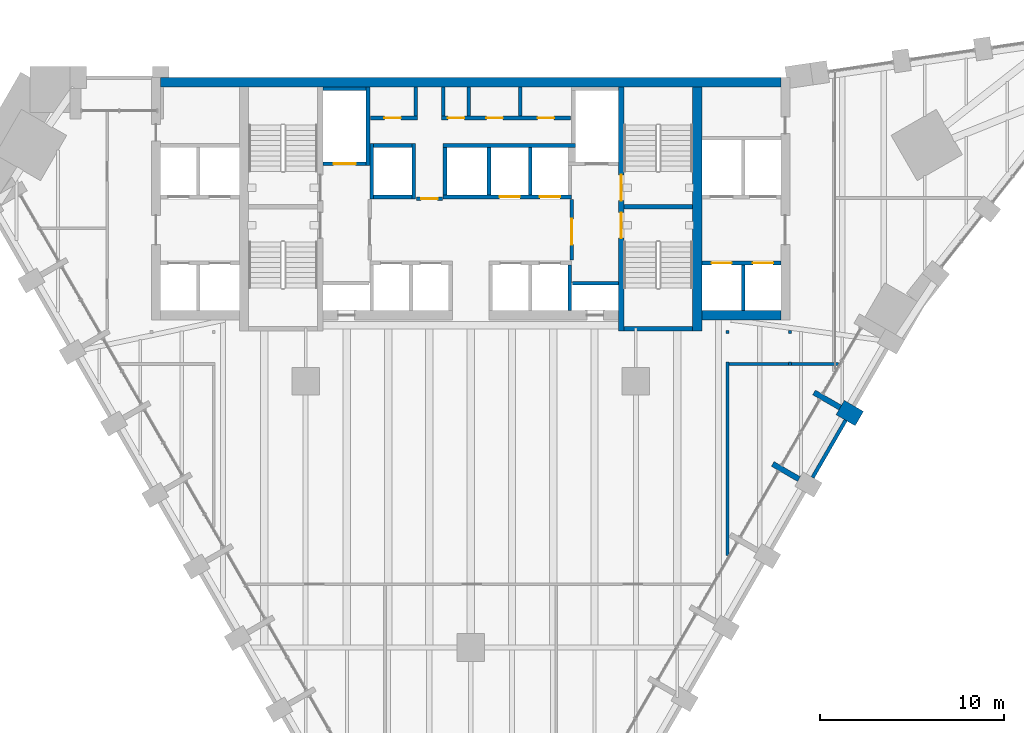
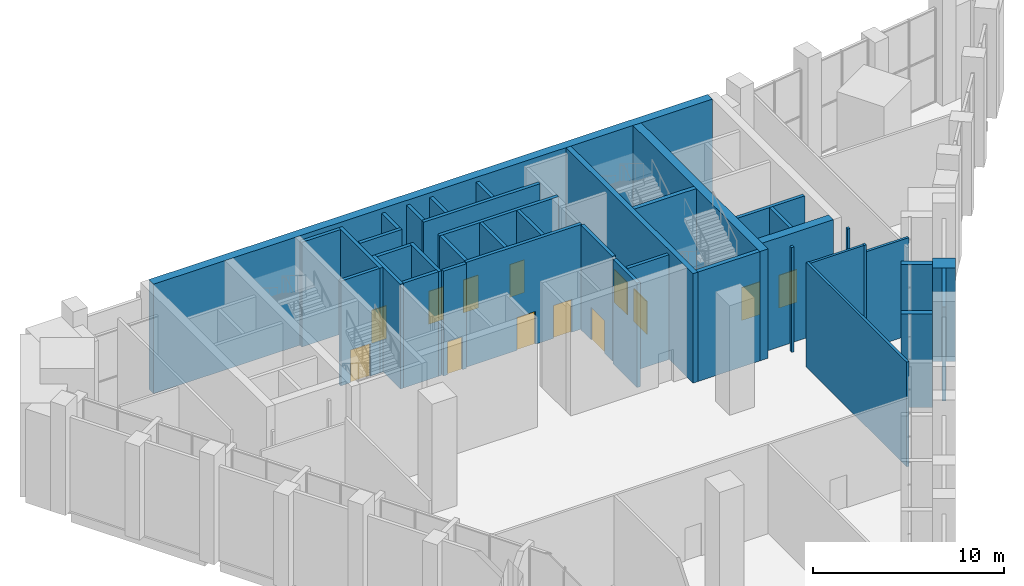
# One storey, part 13 of 17: 40 walls, 13 doors, 13 openings.
"""IFC4 building model written with IfcOpenShell, lengths in metres."""

from ifc_helpers import new_model, si_unit, direction, frame, frame_2d, origin, place, context, subcontext, project, spatial, rectangle, extrude, material, layer, layer_set, type_object, element, fill, save


model = new_model("IFC4")

# Units and contexts
model_context = context("Model", 3, precision=1e-05, world=origin(), true_north=direction((0.0, 1.0)))
body_context = subcontext(model_context, "Body", "Model", "MODEL_VIEW")
ifc_project = project(units=[si_unit("LENGTHUNIT", "METRE"), si_unit("AREAUNIT", "SQUARE_METRE"), si_unit("VOLUMEUNIT", "CUBIC_METRE"), si_unit("PLANEANGLEUNIT", "RADIAN"), si_unit("MASSUNIT", "GRAM", prefix="KILO")], contexts=[model_context])

# Site, building, storey
site_placement = place(None, origin())
site = spatial("IfcSite", under=ifc_project, at=site_placement, CompositionType="ELEMENT")
building_placement = place(site_placement, origin())
building = spatial("IfcBuilding", under=site, at=building_placement, Name="Calabash Gate Tower", CompositionType="ELEMENT")
storey_placement = place(building_placement, frame((0.0, 0.0, 132.60009765625)))
storey = spatial("IfcBuildingStorey", under=building, at=storey_placement, Name="L31", CompositionType="ELEMENT", Elevation=132.60009765625)

# Walls
ifc_material_1 = material(Name="Terracotta brick masonry, exposed face", Category="masonry")
ifc_layer_1 = layer(ifc_material_1, 1.199951171875)
ifc_layer_set_1 = layer_set([ifc_layer_1], Name="Brick end wall 1200")
wall_type_1 = type_object("IfcWallType", Name="Brick end wall 1200", PredefinedType="SOLIDWALL", material=ifc_layer_set_1)
wall_1_placement = place(storey_placement, frame((21.17626953125, 0.473388671875, 0.0), z_axis=(0.0, 0.0, 1.0), x_axis=(-0.866006032174, 0.500033551112, 0.0)))
element("IfcWall", 1, at=wall_1_placement, inside=storey, type_object=wall_type_1, Name="Brick pier L31 SE2.7", PredefinedType="SOLIDWALL", context=body_context, shape_type="SweptSolid", body=[
    extrude(rectangle(XDim=1.2001953125, YDim=0.89990234375, at=frame_2d((0.60009765625, 0.0))), origin(), (0.0, 0.0, 1.0), 6.0),
])
ifc_material_2 = material(Name="Terracotta brick masonry, exposed face", Category="masonry")
ifc_layer_2 = layer(ifc_material_2, 0.300048828125)
ifc_layer_set_2 = layer_set([ifc_layer_2], Name="Brick loggia cheek wall 300")
wall_type_2 = type_object("IfcWallType", Name="Brick loggia cheek wall 300", PredefinedType="SOLIDWALL", material=ifc_layer_set_2)
for number, where, z_axis, x_axis, name in (
    (2, (16.4580078125, -1.998779296875, 0.0), (0.0, 0.0, 1.0), (0.866040211805, -0.499974350878, 0.0), "Loggia cheek L31 SE2.6"),
    (3, (18.7080078125, 1.8984375, 0.0), (0.0, 0.0, 1.0), (0.866040211805, -0.499974350878, 0.0), "Loggia cheek L31 SE2.7"),
):
    element("IfcWall", number, at=place(storey_placement, frame(where, z_axis=z_axis, x_axis=x_axis)), inside=storey, type_object=wall_type_2, Name=name, PredefinedType="SOLIDWALL", context=body_context, shape_type="SweptSolid", body=[
        extrude(rectangle(XDim=1.64990234375, YDim=0.300048828125, at=frame_2d((0.824951171875, 0.0))), origin(), (0.0, 0.0, 1.0), 6.0),
    ])
ifc_material_3 = material(Name="Gypsum board on steel studs, mineral wool", Category="steel")
ifc_layer_3 = layer(ifc_material_3, 0.199951171875)
ifc_layer_set_3 = layer_set([ifc_layer_3], Name="Core partition 200 gypsum board")
wall_type_3 = type_object("IfcWallType", Name="Core partition 200 gypsum board", PredefinedType="PARTITIONING", material=ifc_layer_set_3)
for number, where, z_axis, x_axis, name in (
    (4, (-3.0, 16.95263671875, 0.0), (0.0, 0.0, 1.0), (0.0, 1.0, 0.0), "Core partition"),
    (5, (-1.5, 16.95263671875, 0.0), (0.0, 0.0, 1.0), (0.0, 1.0, 0.0), "Core partition"),
    (6, (-0.10009765625, 16.95263671875, 0.0), (0.0, 0.0, 1.0), (0.0, 1.0, 0.0), "Core partition"),
    (7, (2.699951171875, 16.95263671875, 0.0), (0.0, 0.0, 1.0), (0.0, 1.0, 0.0), "Core partition"),
):
    element("IfcWall", number, at=place(storey_placement, frame(where, z_axis=z_axis, x_axis=x_axis)), inside=storey, type_object=wall_type_3, Name=name, PredefinedType="PARTITIONING", context=body_context, shape_type="SweptSolid", body=[
        extrude(rectangle(XDim=1.599853515625, YDim=0.199951171875, at=frame_2d((0.7998046875, 0.0))), origin(), (0.0, 0.0, 1.0), 6.699951171875),
    ])
ifc_material_4 = material(Name="Concrete C80/95", Category="concrete")
ifc_layer_4 = layer(ifc_material_4, 0.25)
ifc_layer_set_4 = layer_set([ifc_layer_4], Name="Core wall 250 Concrete C80/95")
wall_type_4 = type_object("IfcWallType", Name="Core wall 250 Concrete C80/95", PredefinedType="SHEAR", material=ifc_layer_set_4)
for number, where, z_axis, x_axis, name in (
    (8, (8.35009765625, 12.027587890625, 0.0), (0.0, 0.0, 1.0), (1.0, 0.0, 0.0), "Core wall Z2-MIDE L31"),
    (9, (8.35009765625, 5.377685546875, 0.0), (0.0, 0.0, 1.0), (1.0, 0.0, 0.0), "Core wall Z2-SSE L31"),
):
    element("IfcWall", number, at=place(storey_placement, frame(where, z_axis=z_axis, x_axis=x_axis)), inside=storey, type_object=wall_type_4, Name=name, PredefinedType="SHEAR", context=body_context, shape_type="SweptSolid", body=[
        extrude(rectangle(XDim=3.75, YDim=0.25, at=frame_2d((1.875, 0.0))), origin(), (0.0, 0.0, 1.0), 7.0),
    ])

# Wall, openings, doors
ifc_material_5 = material(Name="Concrete C80/95", Category="concrete")
ifc_layer_5 = layer(ifc_material_5, 0.300048828125)
ifc_layer_set_5 = layer_set([ifc_layer_5], Name="Core wall 300 Concrete C80/95")
wall_type_5 = type_object("IfcWallType", Name="Core wall 300 Concrete C80/95", PredefinedType="SHEAR", material=ifc_layer_set_5)
wall_2_placement = place(storey_placement, frame((8.199951171875, 5.252685546875, 0.0), z_axis=(0.0, 0.0, 1.0), x_axis=(0.0, 1.0, 0.0)))
wall_2 = element("IfcWall", 10, at=wall_2_placement, inside=storey, type_object=wall_type_5, Name="Core wall Z2-PARTE L31", PredefinedType="SHEAR", context=body_context, shape_type="SweptSolid", body=[
    extrude(rectangle(XDim=13.2998046875, YDim=0.300048828125, at=frame_2d((6.64990234375, 0.0))), origin(), (0.0, 0.0, 1.0), 7.0),
])
opening_1_placement = place(wall_2_placement, frame((7.10009765625, 0.0, 0.0)))
opening_1 = element("IfcOpeningElement", 11, at=opening_1_placement, cuts=wall_2, Name="Opening L31-003", PredefinedType="OPENING", context=body_context, shape_type="SweptSolid", body=[
    extrude(rectangle(XDim=1.39990234375, YDim=2.10009765625, at=frame_2d((0.699951171875, 1.050048828125))), frame((0.0, 0.159912109375, 0.0), z_axis=(0.0, -1.0, 0.0), x_axis=(1.0, 0.0, 0.0)), (0.0, 0.0, 1.0), 0.320068359375),
])
opening_2_placement = place(wall_2_placement, frame((5.050048828125, 0.0, 0.0)))
opening_2 = element("IfcOpeningElement", 12, at=opening_2_placement, cuts=wall_2, Name="Opening L31-004", PredefinedType="OPENING", context=body_context, shape_type="SweptSolid", body=[
    extrude(rectangle(XDim=1.39990234375, YDim=2.10009765625, at=frame_2d((0.699951171875, 1.050048828125))), frame((0.0, 0.159912109375, 0.0), z_axis=(0.0, -1.0, 0.0), x_axis=(1.0, 0.0, 0.0)), (0.0, 0.0, 1.0), 0.320068359375),
])
ifc_material_6 = material(Name="Steel fire door set with fire-resisting glazing", Category="steel")
door_type_1 = type_object("IfcDoorType", Name="Fire door D05 1400x2100 FD90", OperationType="NOTDEFINED", PredefinedType="DOOR", material=ifc_material_6)
door_1_placement = place(opening_1_placement, origin())
door_1 = element("IfcDoor", 13, at=door_1_placement, inside=storey, type_object=door_type_1, Name="Exit stair door ST3", OperationType="SINGLE_SWING_RIGHT", OverallHeight=2.10009765625, OverallWidth=1.39990234375, PredefinedType="DOOR", context=body_context, shape_type="SweptSolid", body=[
    extrude(rectangle(XDim=1.39990234375, YDim=2.10009765625, at=frame_2d((0.699951171875, 1.050048828125))), frame((0.0, 0.02490234375, 0.0), z_axis=(0.0, -1.0, 0.0), x_axis=(1.0, 0.0, 0.0)), (0.0, 0.0, 1.0), 0.050048828125),
])
fill(opening_1, door_1)
door_2_placement = place(opening_2_placement, origin())
door_2 = element("IfcDoor", 14, at=door_2_placement, inside=storey, type_object=door_type_1, Name="Exit stair door ST4", OperationType="SINGLE_SWING_LEFT", OverallHeight=2.10009765625, OverallWidth=1.39990234375, PredefinedType="DOOR", context=body_context, shape_type="SweptSolid", body=[
    extrude(rectangle(XDim=1.39990234375, YDim=2.10009765625, at=frame_2d((0.699951171875, 1.050048828125))), frame((0.0, 0.02490234375, 0.0), z_axis=(0.0, -1.0, 0.0), x_axis=(1.0, 0.0, 0.0)), (0.0, 0.0, 1.0), 0.050048828125),
])
fill(opening_2, door_2)

# Walls
ifc_material_7 = material(Name="Concrete C80/95", Category="concrete")
ifc_layer_6 = layer(ifc_material_7, 0.5)
ifc_layer_set_6 = layer_set([ifc_layer_6], Name="Core wall 500 Concrete C80/95")
wall_type_6 = type_object("IfcWallType", Name="Core wall 500 Concrete C80/95", PredefinedType="SHEAR", material=ifc_layer_set_6)
wall_3_placement = place(storey_placement, frame((-16.89990234375, 18.802490234375, 0.0), z_axis=(0.0, 0.0, 1.0), x_axis=(1.0, 0.0, 0.0)))
element("IfcWall", 15, at=wall_3_placement, inside=storey, type_object=wall_type_6, Name="Core wall Z2-N L31", PredefinedType="SHEAR", context=body_context, shape_type="SweptSolid", body=[
    extrude(rectangle(XDim=33.7998046875, YDim=0.5, at=frame_2d((16.89990234375, 0.0))), origin(), (0.0, 0.0, 1.0), 7.0),
])
wall_4_placement = place(storey_placement, frame((12.35009765625, 5.252685546875, 0.0), z_axis=(0.0, 0.0, 1.0), x_axis=(0.0, 1.0, 0.0)))
element("IfcWall", 16, at=wall_4_placement, inside=storey, type_object=wall_type_6, Name="Core wall Z2-COLE L31", PredefinedType="SHEAR", context=body_context, shape_type="SweptSolid", body=[
    extrude(rectangle(XDim=13.2998046875, YDim=0.5, at=frame_2d((6.64990234375, 0.0))), origin(), (0.0, 0.0, 1.0), 7.0),
])
wall_5_placement = place(storey_placement, frame((12.60009765625, 6.1025390625, 0.0), z_axis=(0.0, 0.0, 1.0), x_axis=(1.0, 0.0, 0.0)))
element("IfcWall", 17, at=wall_5_placement, inside=storey, type_object=wall_type_6, Name="Core wall Z2-SE L31", PredefinedType="SHEAR", context=body_context, shape_type="SweptSolid", body=[
    extrude(rectangle(XDim=4.2998046875, YDim=0.5, at=frame_2d((2.14990234375, 0.0))), origin(), (0.0, 0.0, 1.0), 7.0),
])
ifc_material_8 = material(Name="Gypsum board on steel studs, mineral wool", Category="steel")
ifc_layer_7 = layer(ifc_material_8, 0.14990234375)
ifc_layer_set_7 = layer_set([ifc_layer_7], Name="Partition 150 gypsum board")
wall_type_7 = type_object("IfcWallType", Name="Partition 150 gypsum board", PredefinedType="PARTITIONING", material=ifc_layer_set_7)
wall_6_placement = place(storey_placement, frame((14.0, -6.97607421875, 0.0), z_axis=(0.0, 0.0, 1.0), x_axis=(0.0, 1.0, 0.0)))
element("IfcWall", 18, at=wall_6_placement, inside=storey, type_object=wall_type_7, Name="Partition", PredefinedType="PARTITIONING", context=body_context, shape_type="SweptSolid", body=[
    extrude(rectangle(XDim=10.53369140625, YDim=0.14990234375, at=frame_2d((5.266845703125, 0.0))), origin(), (0.0, 0.0, 1.0), 6.699951171875),
])
wall_7_placement = place(storey_placement, frame((14.074951171875, 3.45263671875, 0.0), z_axis=(0.0, 0.0, 1.0), x_axis=(1.0, 0.0, 0.0)))
element("IfcWall", 19, at=wall_7_placement, inside=storey, type_object=wall_type_7, Name="Partition", PredefinedType="PARTITIONING", context=body_context, shape_type="SweptSolid", body=[
    extrude(rectangle(XDim=3.25, YDim=0.14990234375, at=frame_2d((1.625, 0.0))), origin(), (0.0, 0.0, 1.0), 6.699951171875),
])
wall_8_placement = place(storey_placement, frame((17.39990234375, 3.377685546875, 0.0), z_axis=(0.0, 0.0, 1.0), x_axis=(0.0, 1.0, 0.0)))
element("IfcWall", 20, at=wall_8_placement, inside=storey, type_object=wall_type_7, Name="Partition", PredefinedType="PARTITIONING", context=body_context, shape_type="SweptSolid", body=[
    extrude(rectangle(XDim=0.179931640625, YDim=0.14990234375, at=frame_2d((0.08984375, 0.0))), origin(), (0.0, 0.0, 1.0), 6.699951171875),
])
wall_9_placement = place(storey_placement, frame((17.47509765625, 3.45263671875, 0.0), z_axis=(0.0, 0.0, 1.0), x_axis=(1.0, 0.0, 0.0)))
element("IfcWall", 21, at=wall_9_placement, inside=storey, type_object=wall_type_7, Name="Partition", PredefinedType="PARTITIONING", context=body_context, shape_type="SweptSolid", body=[
    extrude(rectangle(XDim=2.554443359375, YDim=0.14990234375, at=frame_2d((1.27734375, 0.0))), origin(), (0.0, 0.0, 1.0), 6.252197265625),
])
for number, where, z_axis, x_axis, name in (
    (22, (14.0, 5.09765625, 0.0), (0.0, 0.0, 1.0), (0.0, 1.0, 0.0), "Partition"),
    (23, (17.39990234375, 5.09765625, 0.0), (0.0, 0.0, 1.0), (0.0, 1.0, 0.0), "Partition"),
):
    element("IfcWall", number, at=place(storey_placement, frame(where, z_axis=z_axis, x_axis=x_axis)), inside=storey, type_object=wall_type_7, Name=name, PredefinedType="PARTITIONING", context=body_context, shape_type="SweptSolid", body=[
        extrude(rectangle(XDim=0.179931640625, YDim=0.14990234375, at=frame_2d((0.08984375, 0.0))), origin(), (0.0, 0.0, 1.0), 6.699951171875),
    ])
ifc_material_9 = material(Name="Concrete C40/50", Category="concrete")
ifc_layer_8 = layer(ifc_material_9, 0.199951171875)
ifc_layer_set_8 = layer_set([ifc_layer_8], Name="Shaft wall 200 Concrete C40/50")
wall_type_8 = type_object("IfcWallType", Name="Shaft wall 200 Concrete C40/50", PredefinedType="SOLIDWALL", material=ifc_layer_set_8)
for number, where, z_axis, x_axis, name in (
    (24, (5.39990234375, 6.3525390625, 0.0), (0.0, 0.0, 1.0), (0.0, 1.0, 0.0), "Shaft wall"),
    (25, (14.85009765625, 6.3525390625, 0.0), (0.0, 0.0, 1.0), (0.0, 1.0, 0.0), "Shaft wall"),
    (26, (5.550048828125, 7.8525390625, 0.0), (0.0, 0.0, 1.0), (1.0, 0.0, 0.0), "Shaft wall"),
):
    element("IfcWall", number, at=place(storey_placement, frame(where, z_axis=z_axis, x_axis=x_axis)), inside=storey, type_object=wall_type_8, Name=name, PredefinedType="SOLIDWALL", context=body_context, shape_type="SweptSolid", body=[
        extrude(rectangle(XDim=2.5, YDim=0.199951171875, at=frame_2d((1.25, 0.0))), origin(), (0.0, 0.0, 1.0), 6.699951171875),
    ])

# Wall, openings, doors
wall_10_placement = place(storey_placement, frame((12.60009765625, 8.95263671875, 0.0), z_axis=(0.0, 0.0, 1.0), x_axis=(1.0, 0.0, 0.0)))
wall_10 = element("IfcWall", 27, at=wall_10_placement, inside=storey, type_object=wall_type_8, Name="Shaft wall", PredefinedType="SOLIDWALL", context=body_context, shape_type="SweptSolid", body=[
    extrude(rectangle(XDim=4.2998046875, YDim=0.199951171875, at=frame_2d((2.14990234375, 0.0))), origin(), (0.0, 0.0, 1.0), 6.699951171875),
])
opening_3_placement = place(wall_10_placement, frame((0.52490234375, 0.0, 0.0)))
opening_3 = element("IfcOpeningElement", 28, at=opening_3_placement, cuts=wall_10, Name="Opening LD-LR5", PredefinedType="OPENING", context=body_context, shape_type="SweptSolid", body=[
    extrude(rectangle(XDim=1.10009765625, YDim=2.10009765625, at=frame_2d((0.550048828125, 1.050048828125))), frame((0.0, 0.10986328125, 0.0), z_axis=(0.0, -1.0, 0.0), x_axis=(1.0, 0.0, 0.0)), (0.0, 0.0, 1.0), 0.219970703125),
])
opening_4_placement = place(wall_10_placement, frame((2.77490234375, 0.0, 0.0)))
opening_4 = element("IfcOpeningElement", 29, at=opening_4_placement, cuts=wall_10, Name="Opening LD-LR6", PredefinedType="OPENING", context=body_context, shape_type="SweptSolid", body=[
    extrude(rectangle(XDim=1.10009765625, YDim=2.10009765625, at=frame_2d((0.550048828125, 1.050048828125))), frame((0.0, 0.10986328125, 0.0), z_axis=(0.0, -1.0, 0.0), x_axis=(1.0, 0.0, 0.0)), (0.0, 0.0, 1.0), 0.219970703125),
])
ifc_material_10 = material(Name="Stainless steel sliding door leaves", Category="steel")
door_type_2 = type_object("IfcDoorType", Name="Lift landing door LS1 1100x2100 FD90", OperationType="DOUBLE_DOOR_SLIDING", PredefinedType="DOOR", material=ifc_material_10)
door_3_placement = place(opening_3_placement, origin())
door_3 = element("IfcDoor", 30, at=door_3_placement, inside=storey, type_object=door_type_2, Name="Lift landing door LR5", OperationType="DOUBLE_DOOR_SLIDING", OverallHeight=2.10009765625, OverallWidth=1.10009765625, PredefinedType="DOOR", context=body_context, shape_type="SweptSolid", body=[
    extrude(rectangle(XDim=1.10009765625, YDim=2.10009765625, at=frame_2d((0.550048828125, 1.050048828125))), frame((0.0, 0.02490234375, 0.0), z_axis=(0.0, -1.0, 0.0), x_axis=(1.0, 0.0, 0.0)), (0.0, 0.0, 1.0), 0.050048828125),
])
fill(opening_3, door_3)
door_4_placement = place(opening_4_placement, origin())
door_4 = element("IfcDoor", 31, at=door_4_placement, inside=storey, type_object=door_type_2, Name="Lift landing door LR6", OperationType="DOUBLE_DOOR_SLIDING", OverallHeight=2.10009765625, OverallWidth=1.10009765625, PredefinedType="DOOR", context=body_context, shape_type="SweptSolid", body=[
    extrude(rectangle(XDim=1.10009765625, YDim=2.10009765625, at=frame_2d((0.550048828125, 1.050048828125))), frame((0.0, 0.02490234375, 0.0), z_axis=(0.0, -1.0, 0.0), x_axis=(1.0, 0.0, 0.0)), (0.0, 0.0, 1.0), 0.050048828125),
])
fill(opening_4, door_4)

# Wall, opening, door
wall_11_placement = place(storey_placement, frame((5.5, 9.1025390625, 0.0), z_axis=(0.0, 0.0, 1.0), x_axis=(0.0, 1.0, 0.0)))
wall_11 = element("IfcWall", 32, at=wall_11_placement, inside=storey, type_object=wall_type_8, Name="Shaft wall", PredefinedType="SOLIDWALL", context=body_context, shape_type="SweptSolid", body=[
    extrude(rectangle(XDim=3.300048828125, YDim=0.199951171875, at=frame_2d((1.64990234375, 0.0))), origin(), (0.0, 0.0, 1.0), 6.699951171875),
])
opening_5_placement = place(wall_11_placement, frame((0.85009765625, 0.0, 0.0)))
opening_5 = element("IfcOpeningElement", 33, at=opening_5_placement, cuts=wall_11, Name="Opening L31-007", PredefinedType="OPENING", context=body_context, shape_type="SweptSolid", body=[
    extrude(rectangle(XDim=1.39990234375, YDim=2.10009765625, at=frame_2d((0.699951171875, 1.050048828125))), frame((0.0, 0.10986328125, 0.0), z_axis=(0.0, -1.0, 0.0), x_axis=(1.0, 0.0, 0.0)), (0.0, 0.0, 1.0), 0.219970703125),
])
door_5_placement = place(opening_5_placement, origin())
door_5 = element("IfcDoor", 34, at=door_5_placement, inside=storey, type_object=door_type_1, Name="Firefighting Lobby E door", OperationType="SINGLE_SWING_LEFT", OverallHeight=2.10009765625, OverallWidth=1.39990234375, PredefinedType="DOOR", context=body_context, shape_type="SweptSolid", body=[
    extrude(rectangle(XDim=1.39990234375, YDim=2.10009765625, at=frame_2d((0.699951171875, 1.050048828125))), frame((0.0, 0.02490234375, 0.0), z_axis=(0.0, -1.0, 0.0), x_axis=(1.0, 0.0, 0.0)), (0.0, 0.0, 1.0), 0.050048828125),
])
fill(opening_5, door_5)

wall_12_placement = place(storey_placement, frame((-2.949951171875, 12.45263671875, 0.0), z_axis=(0.0, 0.0, 1.0), x_axis=(1.0, 0.0, 0.0)))
wall_12 = element("IfcWall", 35, at=wall_12_placement, inside=storey, type_object=wall_type_8, Name="Shaft wall", PredefinedType="SOLIDWALL", context=body_context, shape_type="SweptSolid", body=[
    extrude(rectangle(XDim=1.39990234375, YDim=0.199951171875, at=frame_2d((0.699951171875, 0.0))), origin(), (0.0, 0.0, 1.0), 6.699951171875),
])
opening_6_placement = place(wall_12_placement, frame((0.25, 0.0, 0.0)))
opening_6 = element("IfcOpeningElement", 36, at=opening_6_placement, cuts=wall_12, Name="Opening L31-005", PredefinedType="OPENING", context=body_context, shape_type="SweptSolid", body=[
    extrude(rectangle(XDim=0.89990234375, YDim=2.10009765625, at=frame_2d((0.449951171875, 1.050048828125))), frame((0.0, 0.10986328125, 0.0), z_axis=(0.0, -1.0, 0.0), x_axis=(1.0, 0.0, 0.0)), (0.0, 0.0, 1.0), 0.219970703125),
])
ifc_material_11 = material(Name="Steel fire door set with fire-resisting glazing", Category="steel")
door_type_3 = type_object("IfcDoorType", Name="Fire door D06 900x2100 FD60", OperationType="NOTDEFINED", PredefinedType="DOOR", material=ifc_material_11)
door_6_placement = place(opening_6_placement, origin())
door_6 = element("IfcDoor", 37, at=door_6_placement, inside=storey, type_object=door_type_3, Name="Service Corridor door", OperationType="SINGLE_SWING_RIGHT", OverallHeight=2.10009765625, OverallWidth=0.89990234375, PredefinedType="DOOR", context=body_context, shape_type="SweptSolid", body=[
    extrude(rectangle(XDim=0.89990234375, YDim=2.10009765625, at=frame_2d((0.449951171875, 1.050048828125))), frame((0.0, 0.02490234375, 0.0), z_axis=(0.0, -1.0, 0.0), x_axis=(1.0, 0.0, 0.0)), (0.0, 0.0, 1.0), 0.050048828125),
])
fill(opening_6, door_6)

# Walls
wall_13_placement = place(storey_placement, frame((-5.39990234375, 12.45263671875, 0.0), z_axis=(0.0, 0.0, 1.0), x_axis=(0.0, 1.0, 0.0)))
element("IfcWall", 38, at=wall_13_placement, inside=storey, type_object=wall_type_8, Name="Shaft wall", PredefinedType="SOLIDWALL", context=body_context, shape_type="SweptSolid", body=[
    extrude(rectangle(XDim=3.0, YDim=0.199951171875, at=frame_2d((1.5, 0.0))), origin(), (0.0, 0.0, 1.0), 6.699951171875),
])
wall_14_placement = place(storey_placement, frame((-5.300048828125, 12.552490234375, 0.0), z_axis=(0.0, 0.0, 1.0), x_axis=(1.0, 0.0, 0.0)))
element("IfcWall", 39, at=wall_14_placement, inside=storey, type_object=wall_type_8, Name="Shaft wall", PredefinedType="SOLIDWALL", context=body_context, shape_type="SweptSolid", body=[
    extrude(rectangle(XDim=2.10009765625, YDim=0.199951171875, at=frame_2d((1.050048828125, 0.0))), origin(), (0.0, 0.0, 1.0), 6.699951171875),
])
wall_15_placement = place(storey_placement, frame((-3.10009765625, 12.45263671875, 0.0), z_axis=(0.0, 0.0, 1.0), x_axis=(0.0, 1.0, 0.0)))
element("IfcWall", 40, at=wall_15_placement, inside=storey, type_object=wall_type_8, Name="Shaft wall", PredefinedType="SOLIDWALL", context=body_context, shape_type="SweptSolid", body=[
    extrude(rectangle(XDim=3.0, YDim=0.199951171875, at=frame_2d((1.5, 0.0))), origin(), (0.0, 0.0, 1.0), 6.699951171875),
])

# Wall, openings, doors
wall_16_placement = place(storey_placement, frame((-1.5, 12.552490234375, 0.0), z_axis=(0.0, 0.0, 1.0), x_axis=(1.0, 0.0, 0.0)))
wall_16 = element("IfcWall", 41, at=wall_16_placement, inside=storey, type_object=wall_type_8, Name="Shaft wall", PredefinedType="SOLIDWALL", context=body_context, shape_type="SweptSolid", body=[
    extrude(rectangle(XDim=7.0, YDim=0.199951171875, at=frame_2d((3.5, 0.0))), origin(), (0.0, 0.0, 1.0), 6.699951171875),
])
opening_7_placement = place(wall_16_placement, frame((3.074951171875, 0.0, 0.0)))
opening_7 = element("IfcOpeningElement", 42, at=opening_7_placement, cuts=wall_16, Name="Opening LD-HR5", PredefinedType="OPENING", context=body_context, shape_type="SweptSolid", body=[
    extrude(rectangle(XDim=1.10009765625, YDim=2.10009765625, at=frame_2d((0.550048828125, 1.050048828125))), frame((0.0, 0.10986328125, 0.0), z_axis=(0.0, -1.0, 0.0), x_axis=(1.0, 0.0, 0.0)), (0.0, 0.0, 1.0), 0.219970703125),
])
opening_8_placement = place(wall_16_placement, frame((5.27490234375, 0.0, 0.0)))
opening_8 = element("IfcOpeningElement", 43, at=opening_8_placement, cuts=wall_16, Name="Opening LD-HR6", PredefinedType="OPENING", context=body_context, shape_type="SweptSolid", body=[
    extrude(rectangle(XDim=1.10009765625, YDim=2.10009765625, at=frame_2d((0.550048828125, 1.050048828125))), frame((0.0, 0.10986328125, 0.0), z_axis=(0.0, -1.0, 0.0), x_axis=(1.0, 0.0, 0.0)), (0.0, 0.0, 1.0), 0.219970703125),
])
door_7_placement = place(opening_7_placement, origin())
door_7 = element("IfcDoor", 44, at=door_7_placement, inside=storey, type_object=door_type_2, Name="Lift landing door HR5", OperationType="DOUBLE_DOOR_SLIDING", OverallHeight=2.10009765625, OverallWidth=1.10009765625, PredefinedType="DOOR", context=body_context, shape_type="SweptSolid", body=[
    extrude(rectangle(XDim=1.10009765625, YDim=2.10009765625, at=frame_2d((0.550048828125, 1.050048828125))), frame((0.0, 0.02490234375, 0.0), z_axis=(0.0, -1.0, 0.0), x_axis=(1.0, 0.0, 0.0)), (0.0, 0.0, 1.0), 0.050048828125),
])
fill(opening_7, door_7)
door_8_placement = place(opening_8_placement, origin())
door_8 = element("IfcDoor", 45, at=door_8_placement, inside=storey, type_object=door_type_2, Name="Lift landing door HR6", OperationType="DOUBLE_DOOR_SLIDING", OverallHeight=2.10009765625, OverallWidth=1.10009765625, PredefinedType="DOOR", context=body_context, shape_type="SweptSolid", body=[
    extrude(rectangle(XDim=1.10009765625, YDim=2.10009765625, at=frame_2d((0.550048828125, 1.050048828125))), frame((0.0, 0.02490234375, 0.0), z_axis=(0.0, -1.0, 0.0), x_axis=(1.0, 0.0, 0.0)), (0.0, 0.0, 1.0), 0.050048828125),
])
fill(opening_8, door_8)

# Walls
for number, where, z_axis, x_axis, name in (
    (46, (-1.39990234375, 12.652587890625, 0.0), (0.0, 0.0, 1.0), (0.0, 1.0, 0.0), "Shaft wall"),
    (47, (1.0, 12.652587890625, 0.0), (0.0, 0.0, 1.0), (0.0, 1.0, 0.0), "Shaft wall"),
    (48, (3.25, 12.652587890625, 0.0), (0.0, 0.0, 1.0), (0.0, 1.0, 0.0), "Shaft wall"),
):
    element("IfcWall", number, at=place(storey_placement, frame(where, z_axis=z_axis, x_axis=x_axis)), inside=storey, type_object=wall_type_8, Name=name, PredefinedType="SOLIDWALL", context=body_context, shape_type="SweptSolid", body=[
        extrude(rectangle(XDim=2.60009765625, YDim=0.199951171875, at=frame_2d((1.300048828125, 0.0))), origin(), (0.0, 0.0, 1.0), 6.699951171875),
    ])

# Wall, opening, door
wall_17_placement = place(storey_placement, frame((-8.050048828125, 14.3525390625, 0.0), z_axis=(0.0, 0.0, 1.0), x_axis=(1.0, 0.0, 0.0)))
wall_17 = element("IfcWall", 49, at=wall_17_placement, inside=storey, type_object=wall_type_8, Name="Shaft wall", PredefinedType="SOLIDWALL", context=body_context, shape_type="SweptSolid", body=[
    extrude(rectangle(XDim=2.35009765625, YDim=0.199951171875, at=frame_2d((1.175048828125, 0.0))), origin(), (0.0, 0.0, 1.0), 6.699951171875),
])
opening_9_placement = place(wall_17_placement, frame((0.574951171875, 0.0, 0.0)))
opening_9 = element("IfcOpeningElement", 50, at=opening_9_placement, cuts=wall_17, Name="Opening LD-FF1", PredefinedType="OPENING", context=body_context, shape_type="SweptSolid", body=[
    extrude(rectangle(XDim=1.199951171875, YDim=2.10009765625, at=frame_2d((0.60009765625, 1.050048828125))), frame((0.0, 0.10986328125, 0.0), z_axis=(0.0, -1.0, 0.0), x_axis=(1.0, 0.0, 0.0)), (0.0, 0.0, 1.0), 0.219970703125),
])
ifc_material_12 = material(Name="Stainless steel sliding door leaves", Category="steel")
door_type_4 = type_object("IfcDoorType", Name="Lift landing door LS3 1200x2100 FD90", OperationType="DOUBLE_DOOR_SLIDING", PredefinedType="DOOR", material=ifc_material_12)
door_9_placement = place(opening_9_placement, origin())
door_9 = element("IfcDoor", 51, at=door_9_placement, inside=storey, type_object=door_type_4, Name="Lift landing door FF1", OperationType="DOUBLE_DOOR_SLIDING", OverallHeight=2.10009765625, OverallWidth=1.199951171875, PredefinedType="DOOR", context=body_context, shape_type="SweptSolid", body=[
    extrude(rectangle(XDim=1.199951171875, YDim=2.10009765625, at=frame_2d((0.60009765625, 1.050048828125))), frame((0.0, 0.02490234375, 0.0), z_axis=(0.0, -1.0, 0.0), x_axis=(1.0, 0.0, 0.0)), (0.0, 0.0, 1.0), 0.050048828125),
])
fill(opening_9, door_9)

# Walls
wall_18_placement = place(storey_placement, frame((-5.60009765625, 14.252685546875, 0.0), z_axis=(0.0, 0.0, 1.0), x_axis=(0.0, 1.0, 0.0)))
element("IfcWall", 52, at=wall_18_placement, inside=storey, type_object=wall_type_8, Name="Shaft wall", PredefinedType="SOLIDWALL", context=body_context, shape_type="SweptSolid", body=[
    extrude(rectangle(XDim=4.2998046875, YDim=0.199951171875, at=frame_2d((2.14990234375, 0.0))), origin(), (0.0, 0.0, 1.0), 6.699951171875),
])
wall_19_placement = place(storey_placement, frame((-5.300048828125, 15.3525390625, 0.0), z_axis=(0.0, 0.0, 1.0), x_axis=(1.0, 0.0, 0.0)))
element("IfcWall", 53, at=wall_19_placement, inside=storey, type_object=wall_type_8, Name="Shaft wall", PredefinedType="SOLIDWALL", context=body_context, shape_type="SweptSolid", body=[
    extrude(rectangle(XDim=2.10009765625, YDim=0.199951171875, at=frame_2d((1.050048828125, 0.0))), origin(), (0.0, 0.0, 1.0), 6.699951171875),
])
wall_20_placement = place(storey_placement, frame((-1.5, 15.3525390625, 0.0), z_axis=(0.0, 0.0, 1.0), x_axis=(1.0, 0.0, 0.0)))
element("IfcWall", 54, at=wall_20_placement, inside=storey, type_object=wall_type_8, Name="Shaft wall", PredefinedType="SOLIDWALL", context=body_context, shape_type="SweptSolid", body=[
    extrude(rectangle(XDim=7.199951171875, YDim=0.199951171875, at=frame_2d((3.60009765625, 0.0))), origin(), (0.0, 0.0, 1.0), 6.699951171875),
])

# Wall, opening, door
wall_21_placement = place(storey_placement, frame((-5.449951171875, 16.8525390625, 0.0), z_axis=(0.0, 0.0, 1.0), x_axis=(1.0, 0.0, 0.0)))
wall_21 = element("IfcWall", 55, at=wall_21_placement, inside=storey, type_object=wall_type_8, Name="Shaft wall", PredefinedType="SOLIDWALL", context=body_context, shape_type="SweptSolid", body=[
    extrude(rectangle(XDim=2.550048828125, YDim=0.199951171875, at=frame_2d((1.27490234375, 0.0))), origin(), (0.0, 0.0, 1.0), 6.699951171875),
])
opening_10_placement = place(wall_21_placement, frame((0.75, 0.0, 0.0)))
opening_10 = element("IfcOpeningElement", 56, at=opening_10_placement, cuts=wall_21, Name="Opening L31-008", PredefinedType="OPENING", context=body_context, shape_type="SweptSolid", body=[
    extrude(rectangle(XDim=0.89990234375, YDim=2.10009765625, at=frame_2d((0.449951171875, 1.050048828125))), frame((0.0, 0.10986328125, 0.0), z_axis=(0.0, -1.0, 0.0), x_axis=(1.0, 0.0, 0.0)), (0.0, 0.0, 1.0), 0.219970703125),
])
door_10_placement = place(opening_10_placement, origin())
door_10 = element("IfcDoor", 57, at=door_10_placement, inside=storey, type_object=door_type_3, Name="Accessible WC door", OperationType="SINGLE_SWING_LEFT", OverallHeight=2.10009765625, OverallWidth=0.89990234375, PredefinedType="DOOR", context=body_context, shape_type="SweptSolid", body=[
    extrude(rectangle(XDim=0.89990234375, YDim=2.10009765625, at=frame_2d((0.449951171875, 1.050048828125))), frame((0.0, 0.02490234375, 0.0), z_axis=(0.0, -1.0, 0.0), x_axis=(1.0, 0.0, 0.0)), (0.0, 0.0, 1.0), 0.050048828125),
])
fill(opening_10, door_10)

# Wall, openings, doors
wall_22_placement = place(storey_placement, frame((-1.60009765625, 16.8525390625, 0.0), z_axis=(0.0, 0.0, 1.0), x_axis=(1.0, 0.0, 0.0)))
wall_22 = element("IfcWall", 58, at=wall_22_placement, inside=storey, type_object=wall_type_8, Name="Shaft wall", PredefinedType="SOLIDWALL", context=body_context, shape_type="SweptSolid", body=[
    extrude(rectangle(XDim=7.050048828125, YDim=0.199951171875, at=frame_2d((3.52490234375, 0.0))), origin(), (0.0, 0.0, 1.0), 6.699951171875),
])
opening_11_placement = place(wall_22_placement, frame((0.35009765625, 0.0, 0.0)))
opening_11 = element("IfcOpeningElement", 59, at=opening_11_placement, cuts=wall_22, Name="Opening L31-009", PredefinedType="OPENING", context=body_context, shape_type="SweptSolid", body=[
    extrude(rectangle(XDim=0.89990234375, YDim=2.10009765625, at=frame_2d((0.449951171875, 1.050048828125))), frame((0.0, 0.10986328125, 0.0), z_axis=(0.0, -1.0, 0.0), x_axis=(1.0, 0.0, 0.0)), (0.0, 0.0, 1.0), 0.219970703125),
])
opening_12_placement = place(wall_22_placement, frame((2.449951171875, 0.0, 0.0)))
opening_12 = element("IfcOpeningElement", 60, at=opening_12_placement, cuts=wall_22, Name="Opening L31-010", PredefinedType="OPENING", context=body_context, shape_type="SweptSolid", body=[
    extrude(rectangle(XDim=0.89990234375, YDim=2.10009765625, at=frame_2d((0.449951171875, 1.050048828125))), frame((0.0, 0.10986328125, 0.0), z_axis=(0.0, -1.0, 0.0), x_axis=(1.0, 0.0, 0.0)), (0.0, 0.0, 1.0), 0.219970703125),
])
opening_13_placement = place(wall_22_placement, frame((5.25, 0.0, 0.0)))
opening_13 = element("IfcOpeningElement", 61, at=opening_13_placement, cuts=wall_22, Name="Opening L31-011", PredefinedType="OPENING", context=body_context, shape_type="SweptSolid", body=[
    extrude(rectangle(XDim=0.89990234375, YDim=2.10009765625, at=frame_2d((0.449951171875, 1.050048828125))), frame((0.0, 0.10986328125, 0.0), z_axis=(0.0, -1.0, 0.0), x_axis=(1.0, 0.0, 0.0)), (0.0, 0.0, 1.0), 0.219970703125),
])
door_11_placement = place(opening_11_placement, origin())
door_11 = element("IfcDoor", 62, at=door_11_placement, inside=storey, type_object=door_type_3, Name="Cleaner's Store door", OperationType="SINGLE_SWING_LEFT", OverallHeight=2.10009765625, OverallWidth=0.89990234375, PredefinedType="DOOR", context=body_context, shape_type="SweptSolid", body=[
    extrude(rectangle(XDim=0.89990234375, YDim=2.10009765625, at=frame_2d((0.449951171875, 1.050048828125))), frame((0.0, 0.02490234375, 0.0), z_axis=(0.0, -1.0, 0.0), x_axis=(1.0, 0.0, 0.0)), (0.0, 0.0, 1.0), 0.050048828125),
])
fill(opening_11, door_11)
door_12_placement = place(opening_12_placement, origin())
door_12 = element("IfcDoor", 63, at=door_12_placement, inside=storey, type_object=door_type_3, Name="Comms Room door", OperationType="SINGLE_SWING_LEFT", OverallHeight=2.10009765625, OverallWidth=0.89990234375, PredefinedType="DOOR", context=body_context, shape_type="SweptSolid", body=[
    extrude(rectangle(XDim=0.89990234375, YDim=2.10009765625, at=frame_2d((0.449951171875, 1.050048828125))), frame((0.0, 0.02490234375, 0.0), z_axis=(0.0, -1.0, 0.0), x_axis=(1.0, 0.0, 0.0)), (0.0, 0.0, 1.0), 0.050048828125),
])
fill(opening_12, door_12)
door_13_placement = place(opening_13_placement, origin())
door_13 = element("IfcDoor", 64, at=door_13_placement, inside=storey, type_object=door_type_3, Name="Staff WC door", OperationType="SINGLE_SWING_RIGHT", OverallHeight=2.10009765625, OverallWidth=0.89990234375, PredefinedType="DOOR", context=body_context, shape_type="SweptSolid", body=[
    extrude(rectangle(XDim=0.89990234375, YDim=2.10009765625, at=frame_2d((0.449951171875, 1.050048828125))), frame((0.0, 0.02490234375, 0.0), z_axis=(0.0, -1.0, 0.0), x_axis=(1.0, 0.0, 0.0)), (0.0, 0.0, 1.0), 0.050048828125),
])
fill(opening_13, door_13)

# Walls
wall_23_placement = place(storey_placement, frame((-8.050048828125, 18.45263671875, 0.0), z_axis=(0.0, 0.0, 1.0), x_axis=(1.0, 0.0, 0.0)))
element("IfcWall", 65, at=wall_23_placement, inside=storey, type_object=wall_type_8, Name="Shaft wall", PredefinedType="SOLIDWALL", context=body_context, shape_type="SweptSolid", body=[
    extrude(rectangle(XDim=2.35009765625, YDim=0.199951171875, at=frame_2d((1.175048828125, 0.0))), origin(), (0.0, 0.0, 1.0), 6.699951171875),
])
ifc_material_13 = material(Name="Terracotta brick masonry, perforated", Category="masonry")
ifc_layer_9 = layer(ifc_material_13, 0.199951171875)
ifc_layer_set_9 = layer_set([ifc_layer_9], Name="Terracotta jaali screen A")
wall_type_9 = type_object("IfcWallType", Name="Terracotta jaali screen A", PredefinedType="SOLIDWALL", material=ifc_layer_set_9)
wall_24_placement = place(storey_placement, frame((18.631591796875, -2.734130859375, 0.0), z_axis=(0.0, 0.0, 1.0), x_axis=(0.499982693035, 0.866035395735, 0.0)))
element("IfcWall", 66, at=wall_24_placement, inside=storey, type_object=wall_type_9, Name="SCREEN A L31 SE2.7", PredefinedType="SOLIDWALL", context=body_context, shape_type="SweptSolid", body=[
    extrude(rectangle(XDim=3.600341796875, YDim=0.199951171875, at=frame_2d((1.80029296875, 0.0))), origin(), (0.0, 0.0, 1.0), 6.0),
])

save(model, "model.ifc")
